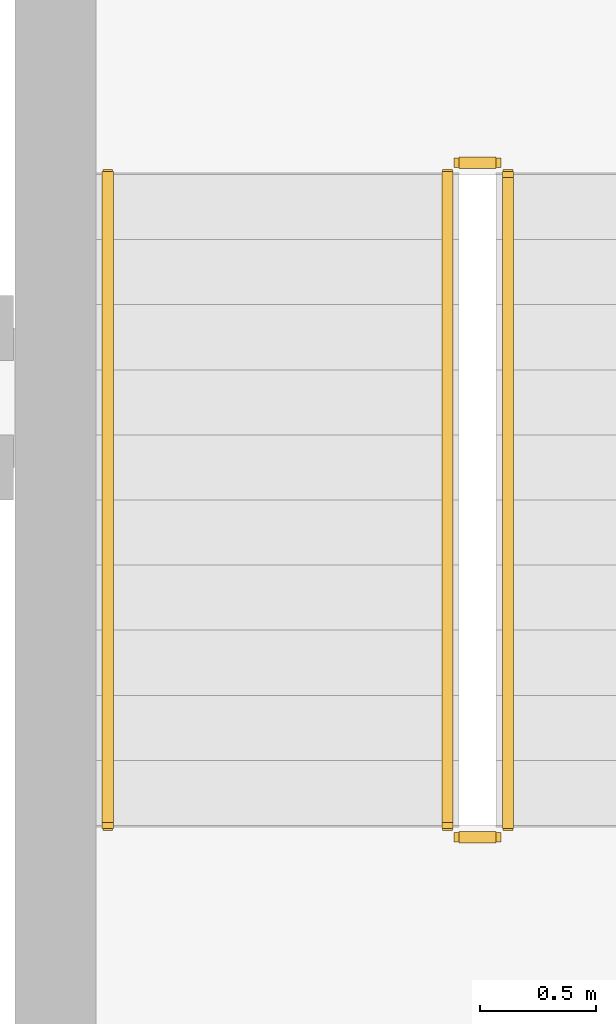
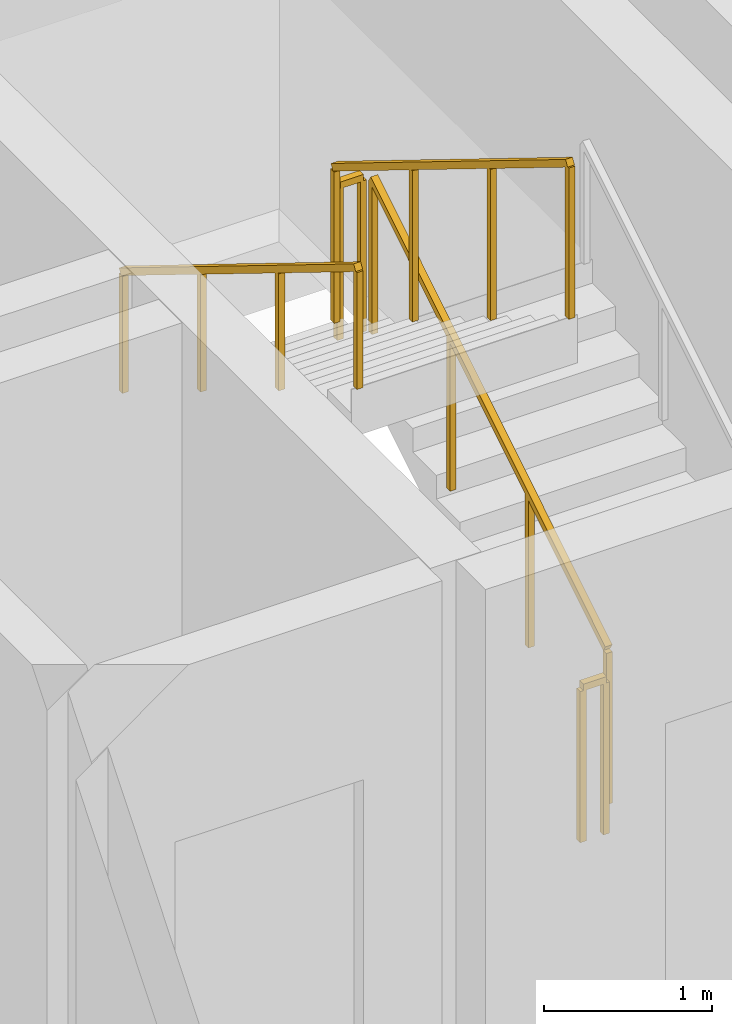
# One storey, part 13 of 14: 5 railings.
"""IFC4 building model written with IfcOpenShell, lengths in metres."""

from ifc_helpers import new_model, si_unit, direction, frame, origin, origin_2d, place, context, subcontext, project, spatial, rectangle, extrude, material, type_object, element, save


model = new_model("IFC4")

# Units and contexts
model_context = context("Model", 3, precision=1e-05, world=origin(), true_north=direction((0.0, 1.0)))
body_context = subcontext(model_context, "Body", "Model", "MODEL_VIEW")
ifc_project = project(units=[si_unit("LENGTHUNIT", "METRE"), si_unit("AREAUNIT", "SQUARE_METRE"), si_unit("VOLUMEUNIT", "CUBIC_METRE"), si_unit("PLANEANGLEUNIT", "RADIAN"), si_unit("MASSUNIT", "GRAM", prefix="KILO")], contexts=[model_context])

# Site, building, storey
site_placement = place(None, origin())
site = spatial("IfcSite", under=ifc_project, at=site_placement, CompositionType="ELEMENT")
building_placement = place(site_placement, origin())
building = spatial("IfcBuilding", under=site, at=building_placement, Name="Kaelvorn Grand Hotel", CompositionType="ELEMENT")
storey_placement = place(building_placement, frame((0.0, 0.0, 220.550048828125)))
storey = spatial("IfcBuildingStorey", under=building, at=storey_placement, Name="L54", CompositionType="ELEMENT", Elevation=220.550048828125)

# Railings
ifc_material = material(Name="Stainless Steel", Category="steel")
railing_type_1 = type_object("IfcRailingType", Name="RL-HANDRAIL-900", PredefinedType="HANDRAIL", material=ifc_material)
railing_1_placement = place(storey_placement, frame((63.3701171875, 44.56005859375, 2.07275390625)))
element("IfcRailing", 1, at=railing_1_placement, inside=storey, type_object=railing_type_1, Name="L54 ST3 stair handrail 2", PredefinedType="HANDRAIL", context=body_context, shape_type="SweptSolid", body=[
    extrude(rectangle(XDim=0.048095703125, YDim=0.048095703125, at=origin_2d()), frame((0.0, 0.0, 0.8759765625), z_axis=(0.0, -0.851089632645, 0.525020415988), x_axis=(1.0, 0.0, 0.0)), (0.0, 0.0, 1.0), 3.2900390625),
    extrude(rectangle(XDim=0.0419921875, YDim=0.0419921875, at=origin_2d()), origin(), (0.0, 0.0, 1.0), 0.851806640625),
    extrude(rectangle(XDim=0.0419921875, YDim=0.0419921875, at=origin_2d()), frame((0.0, -0.933349609375, 0.57568359375)), (0.0, 0.0, 1.0), 0.851806640625),
    extrude(rectangle(XDim=0.0419921875, YDim=0.0419921875, at=origin_2d()), frame((0.0, -1.86669921875, 1.151611328125)), (0.0, 0.0, 1.0), 0.851806640625),
    extrude(rectangle(XDim=0.0419921875, YDim=0.0419921875, at=origin_2d()), frame((0.0, -2.800048828125, 1.727294921875)), (0.0, 0.0, 1.0), 0.851806640625),
])
railing_type_2 = type_object("IfcRailingType", Name="RL-STAIR-GUARD-1150", PredefinedType="BALUSTRADE", material=ifc_material)
railing_2_placement = place(storey_placement, frame((65.090087890625, 41.760009765625, 0.172607421875)))
element("IfcRailing", 2, at=railing_2_placement, inside=storey, type_object=railing_type_2, Name="L54 ST3 stair guard 1", PredefinedType="BALUSTRADE", context=body_context, shape_type="SweptSolid", body=[
    extrude(rectangle(XDim=0.048095703125, YDim=0.048095703125, at=origin_2d()), frame((0.0, 0.0, 1.1259765625), z_axis=(0.0, 0.851089632645, 0.525020415988), x_axis=(-1.0, 0.0, 0.0)), (0.0, 0.0, 1.0), 3.2900390625),
    extrude(rectangle(XDim=0.0419921875, YDim=0.0419921875, at=origin_2d()), origin(), (0.0, 0.0, 1.0), 1.101806640625),
    extrude(rectangle(XDim=0.0419921875, YDim=0.0419921875, at=origin_2d()), frame((0.0, 0.933349609375, 0.57568359375)), (0.0, 0.0, 1.0), 1.101806640625),
    extrude(rectangle(XDim=0.0419921875, YDim=0.0419921875, at=origin_2d()), frame((0.0, 1.86669921875, 1.151611328125)), (0.0, 0.0, 1.0), 1.101806640625),
    extrude(rectangle(XDim=0.0419921875, YDim=0.0419921875, at=origin_2d()), frame((0.0, 2.800048828125, 1.727294921875)), (0.0, 0.0, 1.0), 1.101806640625),
])
railing_3_placement = place(storey_placement, frame((65.0400390625, 44.610107421875, 1.89990234375)))
element("IfcRailing", 3, at=railing_3_placement, inside=storey, type_object=railing_type_2, Name="L54 ST3 stair guard 2", PredefinedType="BALUSTRADE", context=body_context, shape_type="SweptSolid", body=[
    extrude(rectangle(XDim=0.048095703125, YDim=0.048095703125, at=origin_2d()), frame((0.0, 0.0, 1.1259765625), z_axis=(-1.0, 0.0, 0.0), x_axis=(0.0, -1.0, 0.0)), (0.0, 0.0, 1.0), 0.16015625),
    extrude(rectangle(XDim=0.0419921875, YDim=0.0419921875, at=origin_2d()), origin(), (0.0, 0.0, 1.0), 1.101806640625),
    extrude(rectangle(XDim=0.0419921875, YDim=0.0419921875, at=origin_2d()), frame((-0.16015625, 0.0, 0.0)), (0.0, 0.0, 1.0), 1.101806640625),
])
railing_4_placement = place(storey_placement, frame((64.830078125, 44.56005859375, 2.07275390625)))
element("IfcRailing", 4, at=railing_4_placement, inside=storey, type_object=railing_type_2, Name="L54 ST3 stair guard 3", PredefinedType="BALUSTRADE", context=body_context, shape_type="SweptSolid", body=[
    extrude(rectangle(XDim=0.048095703125, YDim=0.048095703125, at=origin_2d()), frame((0.0, 0.0, 1.1259765625), z_axis=(0.0, -0.851089632645, 0.525020415988), x_axis=(1.0, 0.0, 0.0)), (0.0, 0.0, 1.0), 3.2900390625),
    extrude(rectangle(XDim=0.0419921875, YDim=0.0419921875, at=origin_2d()), origin(), (0.0, 0.0, 1.0), 1.101806640625),
    extrude(rectangle(XDim=0.0419921875, YDim=0.0419921875, at=origin_2d()), frame((0.0, -0.933349609375, 0.57568359375)), (0.0, 0.0, 1.0), 1.101806640625),
    extrude(rectangle(XDim=0.0419921875, YDim=0.0419921875, at=origin_2d()), frame((0.0, -1.86669921875, 1.151611328125)), (0.0, 0.0, 1.0), 1.101806640625),
    extrude(rectangle(XDim=0.0419921875, YDim=0.0419921875, at=origin_2d()), frame((0.0, -2.800048828125, 1.727294921875)), (0.0, 0.0, 1.0), 1.101806640625),
])
railing_5_placement = place(storey_placement, frame((65.0400390625, 41.7099609375, 0.0)))
element("IfcRailing", 5, at=railing_5_placement, inside=storey, type_object=railing_type_2, Name="L54 ST3 stair guard 4", PredefinedType="BALUSTRADE", context=body_context, shape_type="SweptSolid", body=[
    extrude(rectangle(XDim=0.048095703125, YDim=0.048095703125, at=origin_2d()), frame((0.0, 0.0, 1.1259765625), z_axis=(-1.0, 0.0, 0.0), x_axis=(0.0, -1.0, 0.0)), (0.0, 0.0, 1.0), 0.16015625),
    extrude(rectangle(XDim=0.0419921875, YDim=0.0419921875, at=origin_2d()), origin(), (0.0, 0.0, 1.0), 1.101806640625),
    extrude(rectangle(XDim=0.0419921875, YDim=0.0419921875, at=origin_2d()), frame((-0.16015625, 0.0, 0.0)), (0.0, 0.0, 1.0), 1.101806640625),
])

save(model, "model.ifc")
